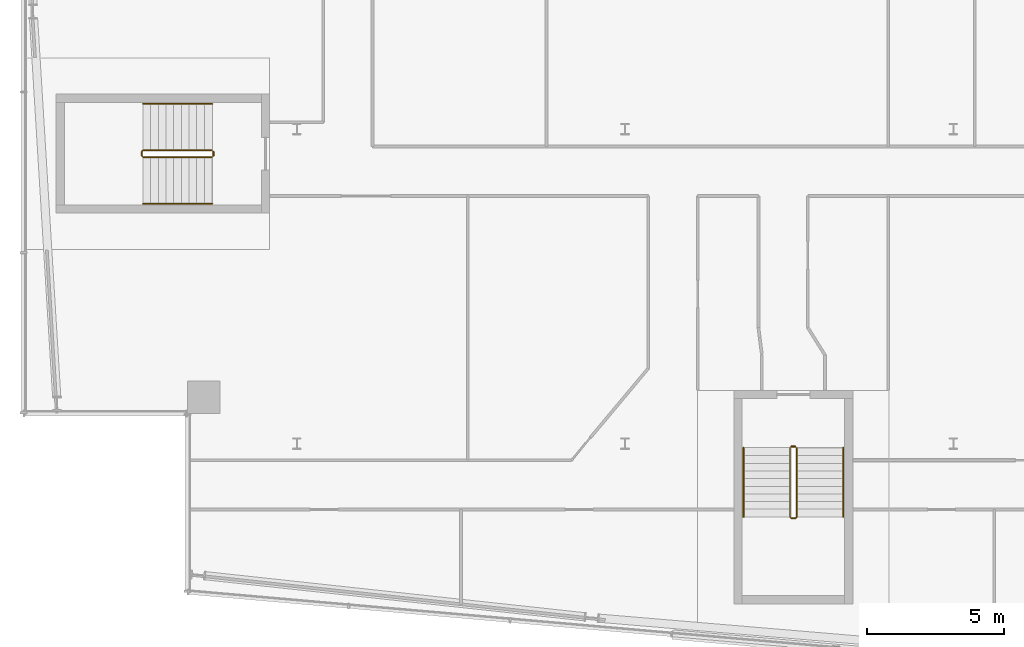
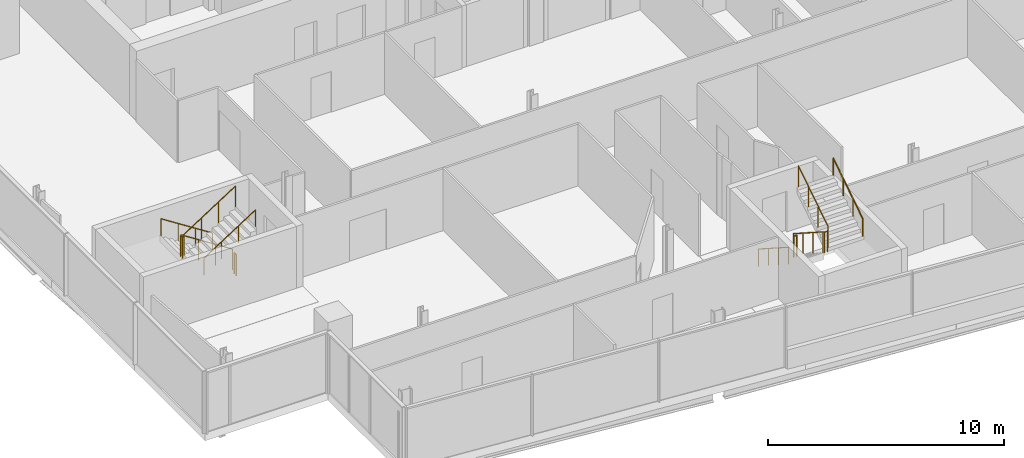
# One storey, part 20 of 22: 8 railings.
"""IFC4 building model written with IfcOpenShell, lengths in metres."""

from ifc_helpers import new_model, si_unit, direction, frame, origin, origin_2d, place, context, subcontext, project, spatial, circle, extrude, material, type_object, element, save


model = new_model("IFC4")

# Units and contexts
model_context = context("Model", 3, precision=1e-05, world=origin(), true_north=direction((0.0, 1.0)))
body_context = subcontext(model_context, "Body", "Model", "MODEL_VIEW")
ifc_project = project(units=[si_unit("LENGTHUNIT", "METRE"), si_unit("AREAUNIT", "SQUARE_METRE"), si_unit("VOLUMEUNIT", "CUBIC_METRE"), si_unit("PLANEANGLEUNIT", "RADIAN"), si_unit("MASSUNIT", "GRAM", prefix="KILO")], contexts=[model_context])

# Site, building, storey
site_placement = place(None, origin())
site = spatial("IfcSite", under=ifc_project, at=site_placement, CompositionType="ELEMENT")
building_placement = place(site_placement, origin())
building = spatial("IfcBuilding", under=site, at=building_placement, Name="Wharfspan Tower", CompositionType="ELEMENT")
storey_placement = place(building_placement, frame((0.0, 0.0, 246.699951)))
storey = spatial("IfcBuildingStorey", under=building, at=storey_placement, Name="L62", CompositionType="ELEMENT", Elevation=246.699951)

# Railings
ifc_material = material(Name="Steel S355J2", Category="steel")
railing_type_1 = type_object("IfcRailingType", Name="Stair guard 1100", PredefinedType="GUARDRAIL", material=ifc_material)
railing_1_placement = place(storey_placement, frame((20.899902, 22.225098, 0.179932)))
element("IfcRailing", 1, at=railing_1_placement, inside=storey, type_object=railing_type_1, Name="L62 ST3 stair guard 1", PredefinedType="GUARDRAIL", context=body_context, shape_type="SweptSolid", body=[
    extrude(circle(Radius=0.023926, at=origin_2d()), frame((0.0, 0.0, 1.076172), z_axis=(-0.841163, 0.0, 0.540782), x_axis=(0.0, -1.0, 0.0)), (0.0, 0.0, 1.0), 2.99585),
    extrude(circle(Radius=0.023926, at=origin_2d()), frame((-2.52002, 0.0, 2.696289), z_axis=(-0.705376, -0.708834, 0.0), x_axis=(0.708834, -0.705376, 0.0)), (0.0, 0.0, 1.0), 0.070557),
    extrude(circle(Radius=0.023926, at=origin_2d()), frame((-2.569824, -0.050049, 2.696289), z_axis=(0.0, -1.0, 0.0), x_axis=(1.0, 0.0, 0.0)), (0.0, 0.0, 1.0), 0.150146),
    extrude(circle(Radius=0.023926, at=origin_2d()), frame((-2.569824, -0.200195, 2.696289), z_axis=(0.257753, -0.257753, 0.931196), x_axis=(0.707107, 0.707107, 0.0)), (0.0, 0.0, 1.0), 0.193115),
    extrude(circle(Radius=0.023926, at=origin_2d()), frame((-2.52002, -0.25, 2.875977), z_axis=(0.841163, 0.0, 0.540782), x_axis=(0.0, 1.0, 0.0)), (0.0, 0.0, 1.0), 2.99585),
    extrude(circle(Radius=0.020996, at=origin_2d()), origin(), (0.0, 0.0, 1.0), 1.052002),
    extrude(circle(Radius=0.020996, at=origin_2d()), frame((-0.840088, 0.0, 0.540039)), (0.0, 0.0, 1.0), 1.052002),
    extrude(circle(Radius=0.020996, at=origin_2d()), frame((-1.679932, 0.0, 1.080078)), (0.0, 0.0, 1.0), 1.052002),
    extrude(circle(Radius=0.020996, at=origin_2d()), frame((-2.52002, 0.0, 1.620117)), (0.0, 0.0, 1.0), 1.052002),
    extrude(circle(Radius=0.020996, at=origin_2d()), frame((-2.569824, -0.050049, 1.620117)), (0.0, 0.0, 1.0), 1.052002),
    extrude(circle(Radius=0.020996, at=origin_2d()), frame((-2.569824, -0.200195, 1.620117)), (0.0, 0.0, 1.0), 1.052002),
    extrude(circle(Radius=0.020996, at=origin_2d()), frame((-2.52002, -0.25, 1.800049)), (0.0, 0.0, 1.0), 1.052002),
    extrude(circle(Radius=0.020996, at=origin_2d()), frame((-1.679932, -0.25, 2.340088)), (0.0, 0.0, 1.0), 1.052002),
    extrude(circle(Radius=0.020996, at=origin_2d()), frame((-0.840088, -0.25, 2.880127)), (0.0, 0.0, 1.0), 1.052002),
    extrude(circle(Radius=0.020996, at=origin_2d()), frame((0.0, -0.25, 3.420166)), (0.0, 0.0, 1.0), 1.052002),
])
railing_2_placement = place(storey_placement, frame((20.949951, 22.175049, 0.0)))
element("IfcRailing", 2, at=railing_2_placement, inside=storey, type_object=railing_type_1, Name="L62 ST3 stair guard 2", PredefinedType="GUARDRAIL", context=body_context, shape_type="SweptSolid", body=[
    extrude(circle(Radius=0.023926, at=origin_2d()), frame((0.0, 0.0, 1.076172), z_axis=(0.0, -1.0, 0.0), x_axis=(1.0, 0.0, 0.0)), (0.0, 0.0, 1.0), 0.150146),
    extrude(circle(Radius=0.020996, at=origin_2d()), origin(), (0.0, 0.0, 1.0), 1.052002),
    extrude(circle(Radius=0.020996, at=origin_2d()), frame((0.0, -0.150146, 0.0)), (0.0, 0.0, 1.0), 1.052002),
])
railing_3_placement = place(storey_placement, frame((42.0271, 11.343262, 0.179932)))
element("IfcRailing", 3, at=railing_3_placement, inside=storey, type_object=railing_type_1, Name="L62 ST4 stair guard 1", PredefinedType="GUARDRAIL", context=body_context, shape_type="SweptSolid", body=[
    extrude(circle(Radius=0.023926, at=origin_2d()), frame((0.0, 0.0, 1.076172), z_axis=(0.0, -0.841163, 0.540782), x_axis=(1.0, 0.0, 0.0)), (0.0, 0.0, 1.0), 2.99585),
    extrude(circle(Radius=0.023926, at=origin_2d()), frame((0.0, -2.52002, 2.696289), z_axis=(0.707107, -0.707107, 0.0), x_axis=(0.707107, 0.707107, 0.0)), (0.0, 0.0, 1.0), 0.070801),
    extrude(circle(Radius=0.023926, at=origin_2d()), frame((0.050049, -2.570068, 2.696289), z_axis=(1.0, 0.0, 0.0), x_axis=(0.0, 1.0, 0.0)), (0.0, 0.0, 1.0), 0.149902),
    extrude(circle(Radius=0.023926, at=origin_2d()), frame((0.199951, -2.570068, 2.696289), z_axis=(0.258848, 0.258848, 0.930589), x_axis=(-0.707107, 0.707107, 0.0)), (0.0, 0.0, 1.0), 0.193359),
    extrude(circle(Radius=0.023926, at=origin_2d()), frame((0.25, -2.52002, 2.875977), z_axis=(0.0, 0.841163, 0.540782), x_axis=(-1.0, 0.0, 0.0)), (0.0, 0.0, 1.0), 2.99585),
    extrude(circle(Radius=0.020996, at=origin_2d()), origin(), (0.0, 0.0, 1.0), 1.052002),
    extrude(circle(Radius=0.020996, at=origin_2d()), frame((0.0, -0.840088, 0.540039)), (0.0, 0.0, 1.0), 1.052002),
    extrude(circle(Radius=0.020996, at=origin_2d()), frame((0.0, -1.679932, 1.080078)), (0.0, 0.0, 1.0), 1.052002),
    extrude(circle(Radius=0.020996, at=origin_2d()), frame((0.0, -2.52002, 1.620117)), (0.0, 0.0, 1.0), 1.052002),
    extrude(circle(Radius=0.020996, at=origin_2d()), frame((0.050049, -2.570068, 1.620117)), (0.0, 0.0, 1.0), 1.052002),
    extrude(circle(Radius=0.020996, at=origin_2d()), frame((0.199951, -2.570068, 1.620117)), (0.0, 0.0, 1.0), 1.052002),
    extrude(circle(Radius=0.020996, at=origin_2d()), frame((0.25, -2.52002, 1.800049)), (0.0, 0.0, 1.0), 1.052002),
    extrude(circle(Radius=0.020996, at=origin_2d()), frame((0.25, -1.679932, 2.340088)), (0.0, 0.0, 1.0), 1.052002),
    extrude(circle(Radius=0.020996, at=origin_2d()), frame((0.25, -0.840088, 2.880127)), (0.0, 0.0, 1.0), 1.052002),
    extrude(circle(Radius=0.020996, at=origin_2d()), frame((0.25, 0.0, 3.420166)), (0.0, 0.0, 1.0), 1.052002),
])
railing_4_placement = place(storey_placement, frame((42.077148, 11.393311, 0.0)))
element("IfcRailing", 4, at=railing_4_placement, inside=storey, type_object=railing_type_1, Name="L62 ST4 stair guard 2", PredefinedType="GUARDRAIL", context=body_context, shape_type="SweptSolid", body=[
    extrude(circle(Radius=0.023926, at=origin_2d()), frame((0.0, 0.0, 1.076172), z_axis=(1.0, 0.0, 0.0), x_axis=(0.0, 1.0, 0.0)), (0.0, 0.0, 1.0), 0.149902),
    extrude(circle(Radius=0.020996, at=origin_2d()), origin(), (0.0, 0.0, 1.0), 1.052002),
    extrude(circle(Radius=0.020996, at=origin_2d()), frame((0.149902, 0.0, 0.0)), (0.0, 0.0, 1.0), 1.052002),
])
railing_type_2 = type_object("IfcRailingType", Name="Stair handrail 900", PredefinedType="HANDRAIL", material=ifc_material)
railing_5_placement = place(storey_placement, frame((20.899902, 23.925049, 0.179932)))
element("IfcRailing", 5, at=railing_5_placement, inside=storey, type_object=railing_type_2, Name="L62 ST3 stair handrail 1", PredefinedType="HANDRAIL", context=body_context, shape_type="SweptSolid", body=[
    extrude(circle(Radius=0.023926, at=origin_2d()), frame((0.0, 0.0, 0.875977), z_axis=(-0.841163, 0.0, 0.540782), x_axis=(0.0, -1.0, 0.0)), (0.0, 0.0, 1.0), 2.99585),
    extrude(circle(Radius=0.020996, at=origin_2d()), origin(), (0.0, 0.0, 1.0), 0.851807),
    extrude(circle(Radius=0.020996, at=origin_2d()), frame((-0.840088, 0.0, 0.540039)), (0.0, 0.0, 1.0), 0.851807),
    extrude(circle(Radius=0.020996, at=origin_2d()), frame((-1.679932, 0.0, 1.080078)), (0.0, 0.0, 1.0), 0.851807),
    extrude(circle(Radius=0.020996, at=origin_2d()), frame((-2.52002, 0.0, 1.620117)), (0.0, 0.0, 1.0), 0.851807),
])
railing_6_placement = place(storey_placement, frame((18.379883, 20.274902, 1.97998)))
element("IfcRailing", 6, at=railing_6_placement, inside=storey, type_object=railing_type_2, Name="L62 ST3 stair handrail 2", PredefinedType="HANDRAIL", context=body_context, shape_type="SweptSolid", body=[
    extrude(circle(Radius=0.023926, at=origin_2d()), frame((0.0, 0.0, 0.875977), z_axis=(0.841163, 0.0, 0.540782), x_axis=(0.0, 1.0, 0.0)), (0.0, 0.0, 1.0), 2.99585),
    extrude(circle(Radius=0.020996, at=origin_2d()), origin(), (0.0, 0.0, 1.0), 0.851807),
    extrude(circle(Radius=0.020996, at=origin_2d()), frame((0.840088, 0.0, 0.540039)), (0.0, 0.0, 1.0), 0.851807),
    extrude(circle(Radius=0.020996, at=origin_2d()), frame((1.679932, 0.0, 1.080078)), (0.0, 0.0, 1.0), 0.851807),
    extrude(circle(Radius=0.020996, at=origin_2d()), frame((2.52002, 0.0, 1.620117)), (0.0, 0.0, 1.0), 0.851807),
])
railing_7_placement = place(storey_placement, frame((40.327148, 11.343262, 0.179932)))
element("IfcRailing", 7, at=railing_7_placement, inside=storey, type_object=railing_type_2, Name="L62 ST4 stair handrail 1", PredefinedType="HANDRAIL", context=body_context, shape_type="SweptSolid", body=[
    extrude(circle(Radius=0.023926, at=origin_2d()), frame((0.0, 0.0, 0.875977), z_axis=(0.0, -0.841163, 0.540782), x_axis=(1.0, 0.0, 0.0)), (0.0, 0.0, 1.0), 2.99585),
    extrude(circle(Radius=0.020996, at=origin_2d()), origin(), (0.0, 0.0, 1.0), 0.851807),
    extrude(circle(Radius=0.020996, at=origin_2d()), frame((0.0, -0.840088, 0.540039)), (0.0, 0.0, 1.0), 0.851807),
    extrude(circle(Radius=0.020996, at=origin_2d()), frame((0.0, -1.679932, 1.080078)), (0.0, 0.0, 1.0), 0.851807),
    extrude(circle(Radius=0.020996, at=origin_2d()), frame((0.0, -2.52002, 1.620117)), (0.0, 0.0, 1.0), 0.851807),
])
railing_8_placement = place(storey_placement, frame((43.977051, 8.823242, 1.97998)))
element("IfcRailing", 8, at=railing_8_placement, inside=storey, type_object=railing_type_2, Name="L62 ST4 stair handrail 2", PredefinedType="HANDRAIL", context=body_context, shape_type="SweptSolid", body=[
    extrude(circle(Radius=0.023926, at=origin_2d()), frame((0.0, 0.0, 0.875977), z_axis=(0.0, 0.841163, 0.540782), x_axis=(-1.0, 0.0, 0.0)), (0.0, 0.0, 1.0), 2.99585),
    extrude(circle(Radius=0.020996, at=origin_2d()), origin(), (0.0, 0.0, 1.0), 0.851807),
    extrude(circle(Radius=0.020996, at=origin_2d()), frame((0.0, 0.840088, 0.540039)), (0.0, 0.0, 1.0), 0.851807),
    extrude(circle(Radius=0.020996, at=origin_2d()), frame((0.0, 1.679932, 1.080078)), (0.0, 0.0, 1.0), 0.851807),
    extrude(circle(Radius=0.020996, at=origin_2d()), frame((0.0, 2.52002, 1.620117)), (0.0, 0.0, 1.0), 0.851807),
])

save(model, "model.ifc")
